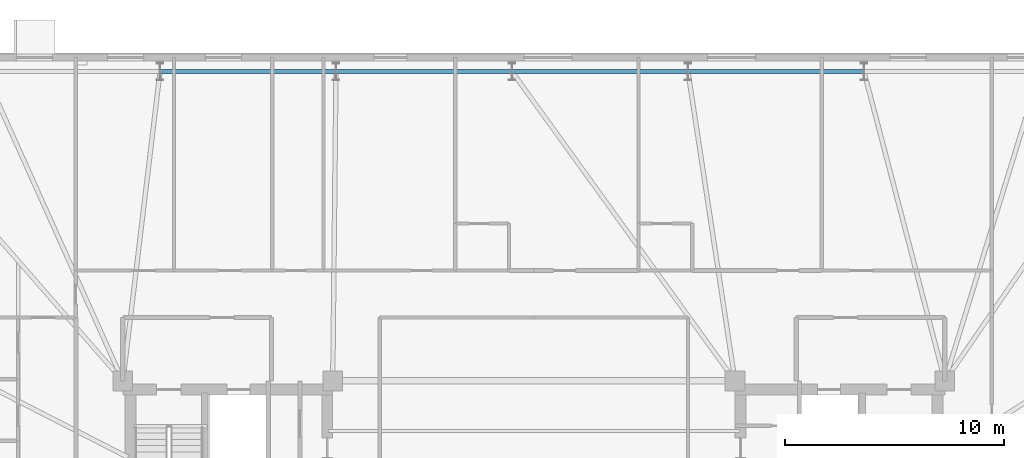
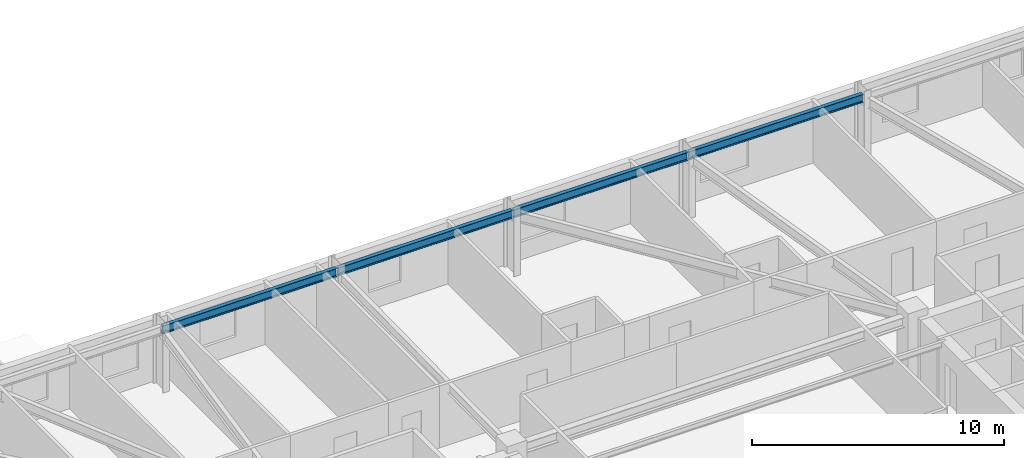
# One storey, part 8 of 17: 4 beams.
"""IFC4 building model written with IfcOpenShell, lengths in metres."""

import ifcopenshell
import ifcopenshell.guid

model = None  # the IFC model being written
_history = None  # IfcOwnerHistory: only IFC2X3 demands one
_inside = {}  # id of a spatial element -> (the spatial element, [elements in it])
_under = {}  # id of a project, library or spatial element -> (it, [spatial elements below it])
_declared = {}  # id of a project -> (the project, [libraries it declares])
_typed = {}  # id of a type object -> (the type object, [elements of that type])
_made_of = {}  # id of a material, layer set ... -> (it, [elements and type objects made of it])


def new_model(schema):
    """Start an empty IFC model of exactly this schema.

    Asked for "IFC4X3", IfcOpenShell would pick the latest addendum, in which some entities
    have other attributes; the version numbers below select the first issue.
    IFC2X3 requires an IfcOwnerHistory on every rooted entity: one is made here for all.
    """
    global model, _history
    if schema == "IFC4X3":
        model = ifcopenshell.file(schema_version=(4, 3, 0, 0))
    else:
        model = ifcopenshell.file(schema=schema)
    _inside.clear()
    _under.clear()
    _declared.clear()
    _typed.clear()
    _made_of.clear()
    _history = None
    if model.schema == "IFC2X3":
        org = make("IfcOrganization", Name="unknown")
        user = make(
            "IfcPersonAndOrganization",
            ThePerson=make("IfcPerson", FamilyName="unknown"),
            TheOrganization=org,
        )
        app = make(
            "IfcApplication",
            ApplicationDeveloper=org,
            Version="unknown",
            ApplicationFullName="unknown",
            ApplicationIdentifier="unknown",
        )
        _history = make(
            "IfcOwnerHistory",
            OwningUser=user,
            OwningApplication=app,
            ChangeAction="ADDED",
            CreationDate=0,
        )
    return model


def make(cls, **values):
    """One entity of the class cls with the attributes given. An attribute that is None is left unset."""
    return model.create_entity(
        cls, **{name: value for name, value in values.items() if value is not None}
    )


def rooted(cls, **values):
    """An entity with a GlobalId (a new one), such as an element, a storey or a relation."""
    return make(cls, GlobalId=ifcopenshell.guid.new(), OwnerHistory=_history, **values)


def si_unit(unit_type, name, prefix=None):
    """IfcSIUnit, for example si_unit("LENGTHUNIT", "METRE", prefix="MILLI")."""
    return make("IfcSIUnit", UnitType=unit_type, Prefix=prefix, Name=name)


def assignment(units):
    """IfcUnitAssignment: the units of a project."""
    return None if units is None else make("IfcUnitAssignment", Units=units)


def point(xyz):
    """IfcCartesianPoint."""
    return None if xyz is None else make("IfcCartesianPoint", Coordinates=xyz)


def direction(xyz):
    """IfcDirection."""
    return None if xyz is None else make("IfcDirection", DirectionRatios=xyz)


def frame(location, z_axis=None, x_axis=None):
    """IfcAxis2Placement3D, a coordinate frame: its origin and axes. An axis left out is left unset."""
    return make(
        "IfcAxis2Placement3D",
        Location=point(location),
        Axis=direction(z_axis),
        RefDirection=direction(x_axis),
    )


def frame_2d(location, x_axis=None):
    """IfcAxis2Placement2D, a coordinate frame in the plane: its origin and x axis."""
    return make(
        "IfcAxis2Placement2D", Location=point(location), RefDirection=direction(x_axis)
    )


def origin():
    """The frame at (0, 0, 0) with its axes left unset."""
    return frame((0.0, 0.0, 0.0))


def origin_2d():
    """The frame at (0, 0) in the plane with its x axis left unset."""
    return frame_2d((0.0, 0.0))


def place(relative_to, where):
    """IfcLocalPlacement: puts the frame where relative to a parent placement (None: the world)."""
    return make(
        "IfcLocalPlacement", PlacementRelTo=relative_to, RelativePlacement=where
    )


def context(
    kind, dimensions, precision=None, world=None, true_north=None, identifier=None
):
    """IfcGeometricRepresentationContext, for example the 3D "Model" context."""
    return make(
        "IfcGeometricRepresentationContext",
        ContextIdentifier=identifier,
        ContextType=kind,
        CoordinateSpaceDimension=dimensions,
        Precision=precision,
        WorldCoordinateSystem=world,
        TrueNorth=true_north,
    )


def subcontext(parent, identifier, kind, view, scale=None):
    """IfcGeometricRepresentationSubContext, for example "Body" below "Model"."""
    return make(
        "IfcGeometricRepresentationSubContext",
        ContextIdentifier=identifier,
        ContextType=kind,
        ParentContext=parent,
        TargetScale=scale,
        TargetView=view,
    )


def project(units=None, contexts=None):
    """IfcProject with its units and contexts."""
    return rooted(
        "IfcProject",
        Name="project",
        RepresentationContexts=contexts,
        UnitsInContext=assignment(units),
    )


def spatial(cls, under=None, at=None, **own):
    """A site, building, storey or space (cls), placed at a placement, below another one or the project."""
    s = rooted(cls, ObjectPlacement=at, **own)
    if under is not None:
        _under.setdefault(under.id(), (under, []))[1].append(s)
    return s


def profile(cls, at=None, kind="AREA", **sizes):
    """A parametric profile (cls). Its sizes go by their IFC names, for example OverallWidth=200.0."""
    return make(cls, ProfileType=kind, Position=at, **sizes)


def i_section(**sizes):
    """IfcIShapeProfileDef."""
    return profile("IfcIShapeProfileDef", **sizes)


def extrude(swept, where, along, depth):
    """IfcExtrudedAreaSolid: the profile swept, set in the frame where, extruded along a direction by depth."""
    return make(
        "IfcExtrudedAreaSolid",
        SweptArea=swept,
        Position=where,
        ExtrudedDirection=direction(along),
        Depth=depth,
    )


def shape(context_of_items, identifier, shape_type, items):
    """IfcShapeRepresentation: the items that make up one representation, for example the "Body"."""
    return make(
        "IfcShapeRepresentation",
        ContextOfItems=context_of_items,
        RepresentationIdentifier=identifier,
        RepresentationType=shape_type,
        Items=items,
    )


def material(Name=None, Category=None):
    """IfcMaterial."""
    return make("IfcMaterial", Name=Name, Category=Category)


def material_profile(
    of_material, cross_section, Name=None, Category=None, Priority=None
):
    """IfcMaterialProfile: a cross section and its material."""
    return make(
        "IfcMaterialProfile",
        Name=Name,
        Material=of_material,
        Profile=cross_section,
        Priority=Priority,
        Category=Category,
    )


def profile_set(profiles, Name=None, composite=None):
    """IfcMaterialProfileSet."""
    return make(
        "IfcMaterialProfileSet",
        Name=Name,
        MaterialProfiles=profiles,
        CompositeProfile=composite,
    )


def made_of(thing, what):
    """Note that an element or type object is made of a material, layer set ...; save() writes the relation."""
    if what is not None:
        _made_of.setdefault(what.id(), (what, []))[1].append(thing)
    return thing


def type_object(cls, material=None, **own):
    """A type object (cls), such as IfcWallType, which elements share."""
    return made_of(rooted(cls, **own), material)


def element(
    cls,
    number,
    at=None,
    inside=None,
    cuts=None,
    type_object=None,
    material=None,
    context=None,
    identifier="Body",
    shape_type=None,
    held_by="IfcProductDefinitionShape",
    body=None,
    shapes=None,
    **own,
):
    """One element of the class cls, such as IfcWall. Its Tag is "e" and its number.

    at: its placement. inside: the storey or other place that contains it. cuts: it is an
    opening in that element (IfcRelVoidsElement). A single representation is given by context,
    identifier, shape_type and body (its items); several are given by shapes. held_by: the class
    of the entity that holds the representations. save() writes the other relations.
    """
    e = rooted(cls, Tag="e%d" % number, ObjectPlacement=at, **own)
    if body is not None:
        shapes = [shape(context, identifier, shape_type, body)]
    if shapes is not None:
        e.Representation = make(held_by, Representations=shapes)
    if inside is not None:
        _inside.setdefault(inside.id(), (inside, []))[1].append(e)
    if cuts is not None:
        rooted(
            "IfcRelVoidsElement", RelatingBuildingElement=cuts, RelatedOpeningElement=e
        )
    if type_object is not None:
        _typed.setdefault(type_object.id(), (type_object, []))[1].append(e)
    return made_of(e, material)


def aggregate(whole, parts):
    """IfcRelAggregates: a whole, such as a stair, and the parts it consists of."""
    return rooted("IfcRelAggregates", RelatingObject=whole, RelatedObjects=parts)


def save(model, path):
    """Write the relations noted so far, then the file.

    IfcRelAggregates (storeys below a building ...), IfcRelContainedInSpatialStructure (elements
    in a storey), IfcRelDefinesByType, IfcRelAssociatesMaterial and IfcRelDeclares: one each for
    every whole, place, type object, material and project.
    """
    for whole, parts in _under.values():
        aggregate(whole, parts)
    for where, things in _inside.values():
        rooted(
            "IfcRelContainedInSpatialStructure",
            RelatedElements=things,
            RelatingStructure=where,
        )
    for kind, things in _typed.values():
        rooted("IfcRelDefinesByType", RelatedObjects=things, RelatingType=kind)
    for what, things in _made_of.values():
        rooted("IfcRelAssociatesMaterial", RelatedObjects=things, RelatingMaterial=what)
    for by, libraries in _declared.values():
        rooted("IfcRelDeclares", RelatingContext=by, RelatedDefinitions=libraries)
    model.write(path)


model = new_model("IFC4")

# Units and contexts
model_context = context("Model", 3, precision=1e-05, world=origin(), true_north=direction((0.0, 1.0)))
body_context = subcontext(model_context, "Body", "Model", "MODEL_VIEW")
ifc_project = project(units=[si_unit("LENGTHUNIT", "METRE"), si_unit("AREAUNIT", "SQUARE_METRE"), si_unit("VOLUMEUNIT", "CUBIC_METRE"), si_unit("PLANEANGLEUNIT", "RADIAN"), si_unit("MASSUNIT", "GRAM", prefix="KILO")], contexts=[model_context])

# Site, building, storey
site_placement = place(None, origin())
site = spatial("IfcSite", under=ifc_project, at=site_placement, CompositionType="ELEMENT")
building_placement = place(site_placement, origin())
building = spatial("IfcBuilding", under=site, at=building_placement, Name="Qobustan Lattice House", CompositionType="ELEMENT")
storey_placement = place(building_placement, frame((0.0, 0.0, 171.199951171875)))
storey = spatial("IfcBuildingStorey", under=building, at=storey_placement, Name="L48", CompositionType="ELEMENT", Elevation=171.199951171875)

# Beams
ifc_material = material(Name="Steel S355", Category="steel")
ifc_material_profile = material_profile(ifc_material, i_section(OverallWidth=0.179931640625, OverallDepth=0.39990234375, WebThickness=0.008544921875, FlangeThickness=0.013427734375, FilletRadius=0.02099609375, at=origin_2d()), Name="IPE400")
ifc_profile_set = profile_set([ifc_material_profile], Name="Steel S355")
beam_type = type_object("IfcBeamType", Name="BM-SPD-IPE400", PredefinedType="SPANDREL", material=ifc_profile_set)
for number, where, z_axis, x_axis, name in (
    (1, (15.074951171875, 19.75, 2.800048828125), (-1.0, 0.0, 0.0), (0.0, -1.0, 0.0), "L48 perimeter spandrel N2-N3"),
    (2, (7.02490234375, 19.75, 2.800048828125), (-1.0, 0.0, 0.0), (0.0, -1.0, 0.0), "L48 perimeter spandrel N3-N4"),
    (3, (-1.02490234375, 19.75, 2.800048828125), (-1.0, 0.0, 0.0), (0.0, -1.0, 0.0), "L48 perimeter spandrel N4-N5"),
    (4, (-9.074951171875, 19.75, 2.800048828125), (-1.0, 0.0, 0.0), (0.0, -1.0, 0.0), "L48 perimeter spandrel N5-N6"),
):
    element("IfcBeam", number, at=place(storey_placement, frame(where, z_axis=z_axis, x_axis=x_axis)), inside=storey, type_object=beam_type, Name=name, PredefinedType="SPANDREL", context=body_context, shape_type="SweptSolid", body=[
        extrude(i_section(OverallWidth=0.179931640625, OverallDepth=0.39990234375, WebThickness=0.008544921875, FlangeThickness=0.013427734375, FilletRadius=0.02099609375, at=origin_2d()), origin(), (0.0, 0.0, 1.0), 8.0),
    ])

save(model, "model.ifc")
